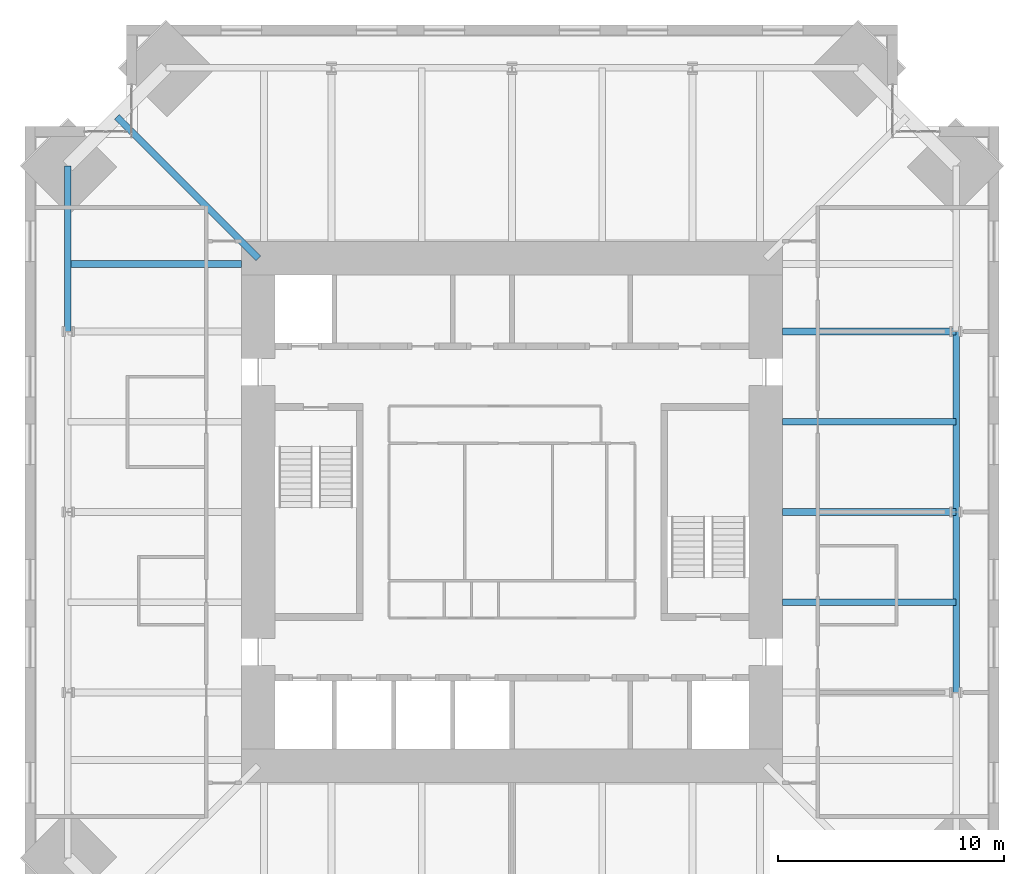
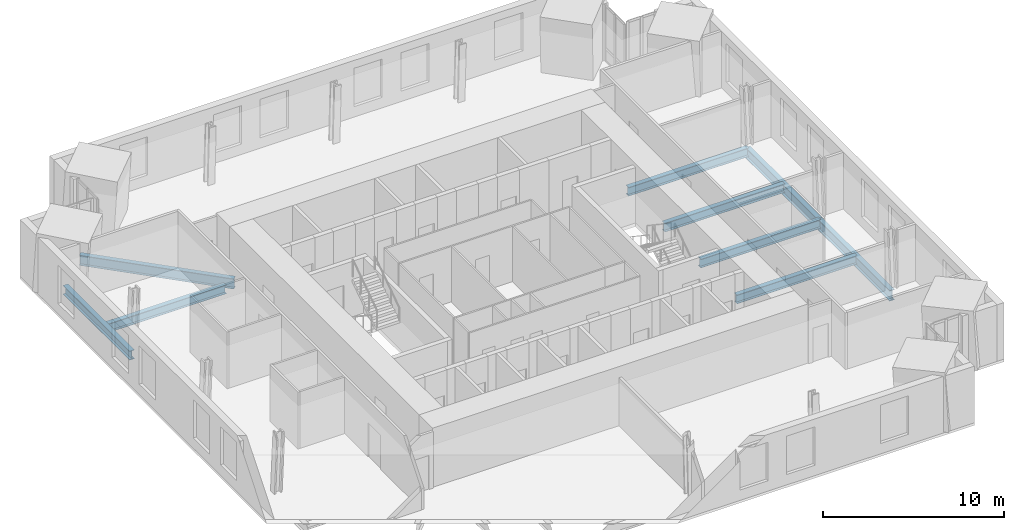
# One storey, part 5 of 16: 9 beams.
"""IFC4 building model written with IfcOpenShell, lengths in metres."""

from ifc_helpers import new_model, si_unit, direction, frame, origin, origin_2d, place, context, subcontext, project, spatial, i_section, extrude, material, material_profile, profile_set, type_object, element, save


model = new_model("IFC4")

# Units and contexts
model_context = context("Model", 3, precision=1e-05, world=origin(), true_north=direction((0.0, 1.0)))
body_context = subcontext(model_context, "Body", "Model", "MODEL_VIEW")
ifc_project = project(units=[si_unit("LENGTHUNIT", "METRE"), si_unit("AREAUNIT", "SQUARE_METRE"), si_unit("VOLUMEUNIT", "CUBIC_METRE"), si_unit("PLANEANGLEUNIT", "RADIAN"), si_unit("MASSUNIT", "GRAM", prefix="KILO")], contexts=[model_context])

# Site, building, storey
site_placement = place(None, origin())
site = spatial("IfcSite", under=ifc_project, at=site_placement, CompositionType="ELEMENT")
building_placement = place(site_placement, origin())
building = spatial("IfcBuilding", under=site, at=building_placement, Name="Peilmerk Tower", CompositionType="ELEMENT")
storey_placement = place(building_placement, frame((0.0, 0.0, 277.800048828125)))
storey = spatial("IfcBuildingStorey", under=building, at=storey_placement, Name="L62", CompositionType="ELEMENT", Elevation=277.800048828125)

# Beams
ifc_material = material(Name="Steel S355", Category="steel")
ifc_material_profile_1 = material_profile(ifc_material, i_section(OverallWidth=0.300048828125, OverallDepth=0.68994140625, WebThickness=0.014404296875, FlangeThickness=0.027099609375, at=origin_2d()), Name="HEA 700")
ifc_profile_set_1 = profile_set([ifc_material_profile_1], Name="Steel S355")
beam_type_1 = type_object("IfcBeamType", Name="B16 HEA 700 floor beam", PredefinedType="BEAM", material=ifc_profile_set_1)
beam_1_placement = place(storey_placement, frame((-11.25, 11.25, -0.51513671875), z_axis=(-0.707106781187, 0.707106781187, 0.0), x_axis=(-0.707106781187, -0.707106781187, 0.0)))
element("IfcBeam", 1, at=beam_1_placement, inside=storey, type_object=beam_type_1, Name="Corner girder L62", PredefinedType="BEAM", context=body_context, shape_type="SweptSolid", body=[
    extrude(i_section(OverallWidth=0.300048828125, OverallDepth=0.68994140625, WebThickness=0.014404296875, FlangeThickness=0.027099609375, at=origin_2d()), origin(), (0.0, 0.0, 1.0), 8.867431640625),
])
ifc_material_profile_2 = material_profile(ifc_material, i_section(OverallWidth=0.300048828125, OverallDepth=0.590087890625, WebThickness=0.012939453125, FlangeThickness=0.02490234375, at=origin_2d()), Name="HEA 600")
ifc_profile_set_2 = profile_set([ifc_material_profile_2], Name="Steel S355")
beam_type_2 = type_object("IfcBeamType", Name="B27 HEA 600 floor beam", PredefinedType="BEAM", material=ifc_profile_set_2)
for number, where, z_axis, x_axis, name in (
    (2, (12.0, -4.0, -0.465087890625), (1.0, 0.0, 0.0), (0.0, 1.0, 0.0), "Floor beam L62"),
    (3, (12.0, 0.0, -0.465087890625), (1.0, 0.0, 0.0), (0.0, 1.0, 0.0), "Floor beam L62"),
    (4, (12.0, 4.0, -0.465087890625), (1.0, 0.0, 0.0), (0.0, 1.0, 0.0), "Floor beam L62"),
    (5, (12.0, 8.0, -0.465087890625), (1.0, 0.0, 0.0), (0.0, 1.0, 0.0), "Floor beam L62"),
    (6, (-12.0, 11.0, -0.465087890625), (-1.0, 0.0, 0.0), (0.0, -1.0, 0.0), "Floor beam L62"),
):
    element("IfcBeam", number, at=place(storey_placement, frame(where, z_axis=z_axis, x_axis=x_axis)), inside=storey, type_object=beam_type_2, Name=name, PredefinedType="BEAM", context=body_context, shape_type="SweptSolid", body=[
        extrude(i_section(OverallWidth=0.300048828125, OverallDepth=0.590087890625, WebThickness=0.012939453125, FlangeThickness=0.02490234375, at=origin_2d()), origin(), (0.0, 0.0, 1.0), 7.695068359375),
    ])
ifc_material_profile_3 = material_profile(ifc_material, i_section(OverallWidth=0.303955078125, OverallDepth=0.716064453125, WebThickness=0.02099609375, FlangeThickness=0.0400390625, at=origin_2d()), Name="HEM 700")
ifc_profile_set_3 = profile_set([ifc_material_profile_3], Name="Steel S355")
beam_type_3 = type_object("IfcBeamType", Name="B30 HEM 700 edge beam", PredefinedType="SPANDREL", material=ifc_profile_set_3)
for number, where, z_axis, x_axis, name in (
    (7, (19.695068359375, -8.0, -0.528076171875), (0.0, 1.0, 0.0), (-1.0, 0.0, 0.0), "Edge beam L62"),
    (8, (19.695068359375, 0.0, -0.528076171875), (0.0, 1.0, 0.0), (-1.0, 0.0, 0.0), "Edge beam L62"),
):
    element("IfcBeam", number, at=place(storey_placement, frame(where, z_axis=z_axis, x_axis=x_axis)), inside=storey, type_object=beam_type_3, Name=name, PredefinedType="SPANDREL", context=body_context, shape_type="SweptSolid", body=[
        extrude(i_section(OverallWidth=0.303955078125, OverallDepth=0.716064453125, WebThickness=0.02099609375, FlangeThickness=0.0400390625, at=origin_2d()), origin(), (0.0, 0.0, 1.0), 8.0),
    ])
ifc_material_profile_4 = material_profile(ifc_material, i_section(OverallWidth=0.304931640625, OverallDepth=0.6201171875, WebThickness=0.02099609375, FlangeThickness=0.0400390625, at=origin_2d()), Name="HEM 600")
ifc_profile_set_4 = profile_set([ifc_material_profile_4], Name="Steel S355")
beam_type_4 = type_object("IfcBeamType", Name="B31 HEM 600 edge beam", PredefinedType="SPANDREL", material=ifc_profile_set_4)
beam_2_placement = place(storey_placement, frame((-19.695068359375, 15.34521484375, -0.47998046875), z_axis=(0.0, -1.0, 0.0), x_axis=(1.0, 0.0, 0.0)))
element("IfcBeam", 9, at=beam_2_placement, inside=storey, type_object=beam_type_4, Name="Edge beam L62", PredefinedType="SPANDREL", context=body_context, shape_type="SweptSolid", body=[
    extrude(i_section(OverallWidth=0.304931640625, OverallDepth=0.6201171875, WebThickness=0.02099609375, FlangeThickness=0.0400390625, at=origin_2d()), origin(), (0.0, 0.0, 1.0), 7.34521484375),
])

save(model, "model.ifc")
